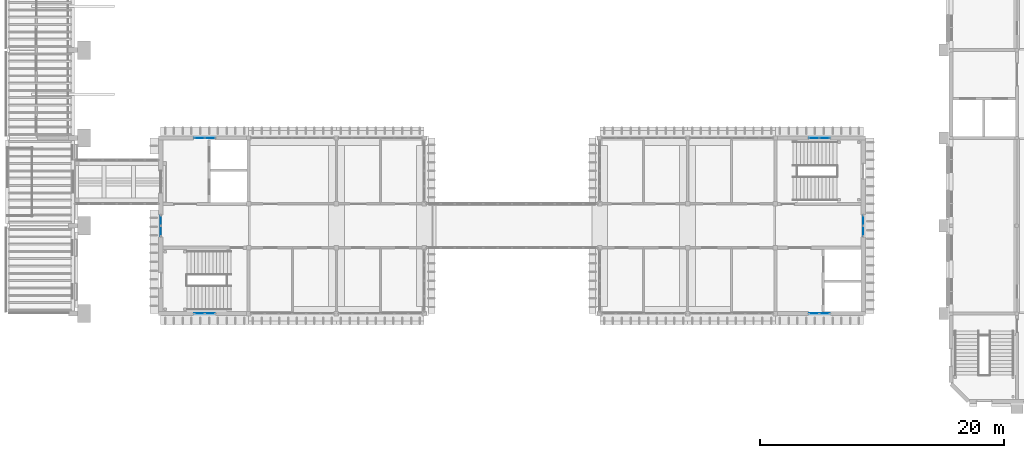
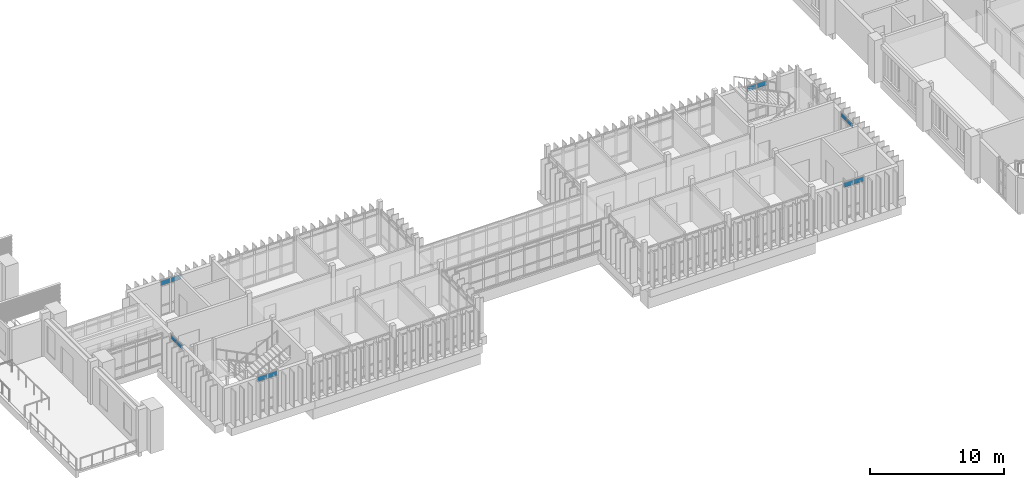
# One storey, part 37 of 69: 12 plates, 6 elements without a shape of their own.
"""IFC4 building model written with IfcOpenShell, lengths in metres."""

from ifc_helpers import new_model, si_unit, direction, frame, origin, origin_2d, place, context, subcontext, project, spatial, rectangle, extrude, material, layer, layer_set, type_object, element, aggregate, save


model = new_model("IFC4")

# Units and contexts
model_context = context("Model", 3, precision=1e-05, world=origin(), true_north=direction((0.0, 1.0)))
body_context = subcontext(model_context, "Body", "Model", "MODEL_VIEW")
ifc_project = project(units=[si_unit("LENGTHUNIT", "METRE"), si_unit("AREAUNIT", "SQUARE_METRE"), si_unit("VOLUMEUNIT", "CUBIC_METRE"), si_unit("PLANEANGLEUNIT", "RADIAN"), si_unit("MASSUNIT", "GRAM", prefix="KILO")], contexts=[model_context])

# Site, building, storey
site_placement = place(None, origin())
site = spatial("IfcSite", under=ifc_project, at=site_placement, CompositionType="ELEMENT")
building_placement = place(site_placement, origin())
building = spatial("IfcBuilding", under=site, at=building_placement, Name="Mazhai Court Health Centre", CompositionType="ELEMENT")
storey_placement = place(building_placement, frame((0.0, 0.0, 6.300048828125)))
storey = spatial("IfcBuildingStorey", under=building, at=storey_placement, Name="L01", CompositionType="ELEMENT", Elevation=6.300048828125)

# Curtain wall, plates
ifc_material_1 = material(Name="Teak timber frame, glazed", Category="wood")
ifc_layer_1 = layer(ifc_material_1, 0.10009765625)
ifc_layer_set_1 = layer_set([ifc_layer_1], Name="CURTAIN WALL TIMBER 900")
curtain_wall_type = type_object("IfcCurtainWallType", Name="CURTAIN WALL TIMBER 900", PredefinedType="NOTDEFINED", material=ifc_layer_set_1)
curtain_wall_1_placement = place(storey_placement, origin())
curtain_wall_1 = element("IfcCurtainWall", 1, at=curtain_wall_1_placement, inside=storey, type_object=curtain_wall_type, Name="CW-V4-L01-A0", PredefinedType="NOTDEFINED")
ifc_material_2 = material(Name="Glass IGU 28 mm", Category="glass")
ifc_layer_2 = layer(ifc_material_2, 0.028076171875)
ifc_layer_set_2 = layer_set([ifc_layer_2], Name="CW PANEL IGU 28")
plate_type = type_object("IfcPlateType", Name="CW PANEL IGU 28", PredefinedType="CURTAIN_PANEL", material=ifc_layer_set_2)
plate_1_placement = place(storey_placement, frame((75.034912109375, 13.39990234375, 2.72998046875), z_axis=(0.0, 0.0, 1.0), x_axis=(-1.0, 0.0, 0.0)))
plate_1 = element("IfcPlate", 2, at=plate_1_placement, type_object=plate_type, Name="CW panel 1.3", PredefinedType="CURTAIN_PANEL", context=body_context, shape_type="SweptSolid", body=[
    extrude(rectangle(XDim=0.81005859375, YDim=0.028076171875, at=origin_2d()), origin(), (0.0, 0.0, 1.0), 0.429931640625),
])
plate_2_placement = place(storey_placement, frame((74.1650390625, 13.39990234375, 2.72998046875), z_axis=(0.0, 0.0, 1.0), x_axis=(-1.0, 0.0, 0.0)))
plate_2 = element("IfcPlate", 3, at=plate_2_placement, type_object=plate_type, Name="CW panel 2.3", PredefinedType="CURTAIN_PANEL", context=body_context, shape_type="SweptSolid", body=[
    extrude(rectangle(XDim=0.81005859375, YDim=0.028076171875, at=origin_2d()), origin(), (0.0, 0.0, 1.0), 0.429931640625),
])
aggregate(curtain_wall_1, [plate_1, plate_2])

curtain_wall_2_placement = place(storey_placement, origin())
curtain_wall_2 = element("IfcCurtainWall", 4, at=curtain_wall_2_placement, inside=storey, type_object=curtain_wall_type, Name="CW-V4-L01-A7", PredefinedType="NOTDEFINED")
plate_3_placement = place(storey_placement, frame((125.43505859375, 13.39990234375, 2.72998046875), z_axis=(0.0, 0.0, 1.0), x_axis=(-1.0, 0.0, 0.0)))
plate_3 = element("IfcPlate", 5, at=plate_3_placement, type_object=plate_type, Name="CW panel 1.3", PredefinedType="CURTAIN_PANEL", context=body_context, shape_type="SweptSolid", body=[
    extrude(rectangle(XDim=0.81005859375, YDim=0.028076171875, at=origin_2d()), origin(), (0.0, 0.0, 1.0), 0.429931640625),
])
plate_4_placement = place(storey_placement, frame((124.56494140625, 13.39990234375, 2.72998046875), z_axis=(0.0, 0.0, 1.0), x_axis=(-1.0, 0.0, 0.0)))
plate_4 = element("IfcPlate", 6, at=plate_4_placement, type_object=plate_type, Name="CW panel 2.3", PredefinedType="CURTAIN_PANEL", context=body_context, shape_type="SweptSolid", body=[
    extrude(rectangle(XDim=0.81005859375, YDim=0.028076171875, at=origin_2d()), origin(), (0.0, 0.0, 1.0), 0.429931640625),
])
aggregate(curtain_wall_2, [plate_3, plate_4])

curtain_wall_3_placement = place(storey_placement, origin())
curtain_wall_3 = element("IfcCurtainWall", 7, at=curtain_wall_3_placement, inside=storey, type_object=curtain_wall_type, Name="CW-V4-L01-B0", PredefinedType="NOTDEFINED")
plate_5_placement = place(storey_placement, frame((74.1650390625, 27.800048828125, 2.72998046875), z_axis=(0.0, 0.0, 1.0), x_axis=(1.0, 0.0, 0.0)))
plate_5 = element("IfcPlate", 8, at=plate_5_placement, type_object=plate_type, Name="CW panel 1.3", PredefinedType="CURTAIN_PANEL", context=body_context, shape_type="SweptSolid", body=[
    extrude(rectangle(XDim=0.81005859375, YDim=0.028076171875, at=origin_2d()), origin(), (0.0, 0.0, 1.0), 0.429931640625),
])
plate_6_placement = place(storey_placement, frame((75.034912109375, 27.800048828125, 2.72998046875), z_axis=(0.0, 0.0, 1.0), x_axis=(1.0, 0.0, 0.0)))
plate_6 = element("IfcPlate", 9, at=plate_6_placement, type_object=plate_type, Name="CW panel 2.3", PredefinedType="CURTAIN_PANEL", context=body_context, shape_type="SweptSolid", body=[
    extrude(rectangle(XDim=0.81005859375, YDim=0.028076171875, at=origin_2d()), origin(), (0.0, 0.0, 1.0), 0.429931640625),
])
aggregate(curtain_wall_3, [plate_5, plate_6])

curtain_wall_4_placement = place(storey_placement, origin())
curtain_wall_4 = element("IfcCurtainWall", 10, at=curtain_wall_4_placement, inside=storey, type_object=curtain_wall_type, Name="CW-V4-L01-B7", PredefinedType="NOTDEFINED")
plate_7_placement = place(storey_placement, frame((124.56494140625, 27.800048828125, 2.72998046875), z_axis=(0.0, 0.0, 1.0), x_axis=(1.0, 0.0, 0.0)))
plate_7 = element("IfcPlate", 11, at=plate_7_placement, type_object=plate_type, Name="CW panel 1.3", PredefinedType="CURTAIN_PANEL", context=body_context, shape_type="SweptSolid", body=[
    extrude(rectangle(XDim=0.81005859375, YDim=0.028076171875, at=origin_2d()), origin(), (0.0, 0.0, 1.0), 0.429931640625),
])
plate_8_placement = place(storey_placement, frame((125.43505859375, 27.800048828125, 2.72998046875), z_axis=(0.0, 0.0, 1.0), x_axis=(1.0, 0.0, 0.0)))
plate_8 = element("IfcPlate", 12, at=plate_8_placement, type_object=plate_type, Name="CW panel 2.3", PredefinedType="CURTAIN_PANEL", context=body_context, shape_type="SweptSolid", body=[
    extrude(rectangle(XDim=0.81005859375, YDim=0.028076171875, at=origin_2d()), origin(), (0.0, 0.0, 1.0), 0.429931640625),
])
aggregate(curtain_wall_4, [plate_7, plate_8])

curtain_wall_5_placement = place(storey_placement, origin())
curtain_wall_5 = element("IfcCurtainWall", 13, at=curtain_wall_5_placement, inside=storey, type_object=curtain_wall_type, Name="CW-V4-L01-SLIFT1", PredefinedType="NOTDEFINED")
plate_9_placement = place(storey_placement, frame((71.0, 20.1650390625, 2.72998046875), z_axis=(0.0, 0.0, 1.0), x_axis=(0.0, 1.0, 0.0)))
plate_9 = element("IfcPlate", 14, at=plate_9_placement, type_object=plate_type, Name="CW panel 1.3", PredefinedType="CURTAIN_PANEL", context=body_context, shape_type="SweptSolid", body=[
    extrude(rectangle(XDim=0.81005859375, YDim=0.028076171875, at=origin_2d()), origin(), (0.0, 0.0, 1.0), 0.409912109375),
])
plate_10_placement = place(storey_placement, frame((71.0, 21.034912109375, 2.72998046875), z_axis=(0.0, 0.0, 1.0), x_axis=(0.0, 1.0, 0.0)))
plate_10 = element("IfcPlate", 15, at=plate_10_placement, type_object=plate_type, Name="CW panel 2.3", PredefinedType="CURTAIN_PANEL", context=body_context, shape_type="SweptSolid", body=[
    extrude(rectangle(XDim=0.81005859375, YDim=0.028076171875, at=origin_2d()), origin(), (0.0, 0.0, 1.0), 0.409912109375),
])
aggregate(curtain_wall_5, [plate_9, plate_10])

curtain_wall_6_placement = place(storey_placement, origin())
curtain_wall_6 = element("IfcCurtainWall", 16, at=curtain_wall_6_placement, inside=storey, type_object=curtain_wall_type, Name="CW-V4-L01-ELIFT0", PredefinedType="NOTDEFINED")
plate_11_placement = place(storey_placement, frame((128.60009765625, 21.034912109375, 2.72998046875), z_axis=(0.0, 0.0, 1.0), x_axis=(0.0, -1.0, 0.0)))
plate_11 = element("IfcPlate", 17, at=plate_11_placement, type_object=plate_type, Name="CW panel 1.3", PredefinedType="CURTAIN_PANEL", context=body_context, shape_type="SweptSolid", body=[
    extrude(rectangle(XDim=0.81005859375, YDim=0.028076171875, at=origin_2d()), origin(), (0.0, 0.0, 1.0), 0.409912109375),
])
plate_12_placement = place(storey_placement, frame((128.60009765625, 20.1650390625, 2.72998046875), z_axis=(0.0, 0.0, 1.0), x_axis=(0.0, -1.0, 0.0)))
plate_12 = element("IfcPlate", 18, at=plate_12_placement, type_object=plate_type, Name="CW panel 2.3", PredefinedType="CURTAIN_PANEL", context=body_context, shape_type="SweptSolid", body=[
    extrude(rectangle(XDim=0.81005859375, YDim=0.028076171875, at=origin_2d()), origin(), (0.0, 0.0, 1.0), 0.409912109375),
])
aggregate(curtain_wall_6, [plate_11, plate_12])

save(model, "model.ifc")
